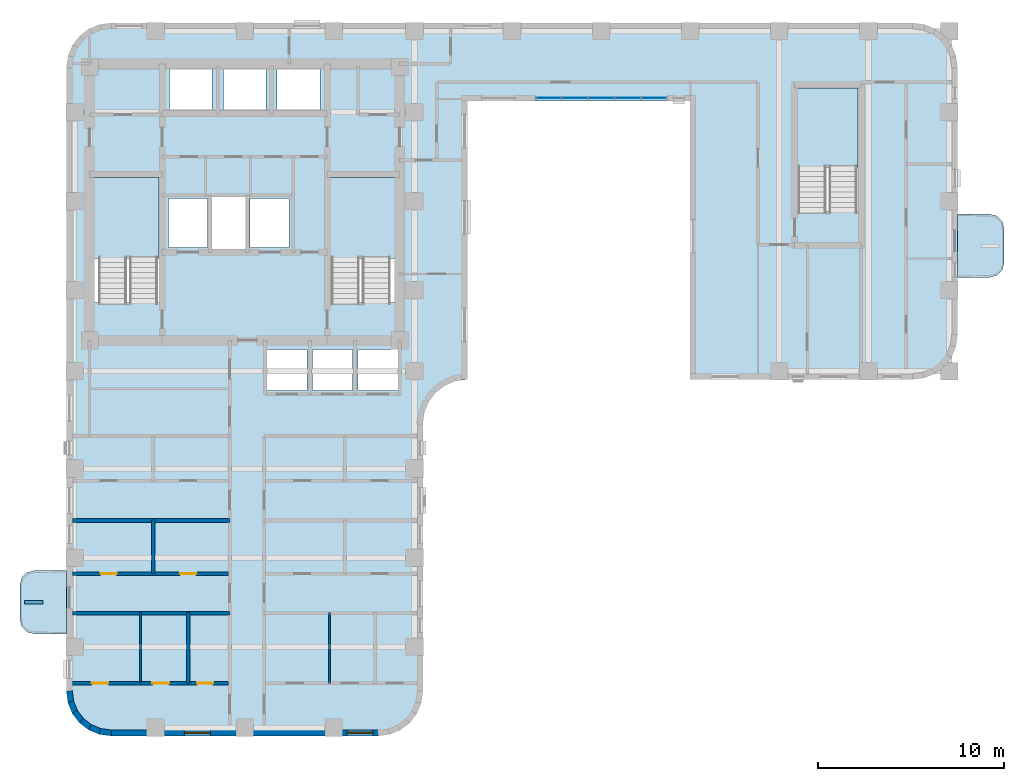
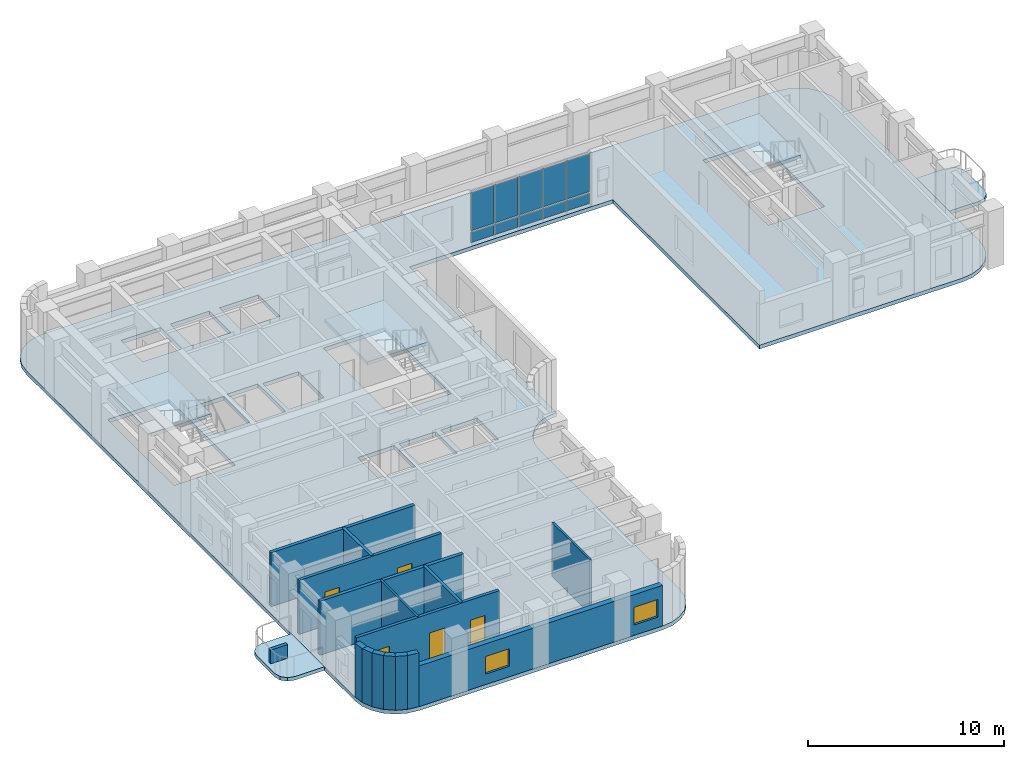
# One storey, part 3 of 11: 16 walls, 10 plates, 6 slabs, 5 doors, 2 windows, 7 openings, 4 elements without a shape of their own.
"""IFC4 building model written with IfcOpenShell, lengths in metres."""

from ifc_helpers import new_model, si_unit, direction, frame, frame_2d, origin, origin_2d, place, context, subcontext, project, spatial, polyline, rectangle, outline, extrude, material, layer, layer_set, type_object, element, fill, aggregate, save


model = new_model("IFC4")

# Units and contexts
model_context = context("Model", 3, precision=1e-05, world=origin(), true_north=direction((0.0, 1.0)))
body_context = subcontext(model_context, "Body", "Model", "MODEL_VIEW")
ifc_project = project(units=[si_unit("LENGTHUNIT", "METRE"), si_unit("AREAUNIT", "SQUARE_METRE"), si_unit("VOLUMEUNIT", "CUBIC_METRE"), si_unit("PLANEANGLEUNIT", "RADIAN"), si_unit("MASSUNIT", "GRAM", prefix="KILO")], contexts=[model_context])

# Site, building, storey
site_placement = place(None, origin())
site = spatial("IfcSite", under=ifc_project, at=site_placement, CompositionType="ELEMENT")
building_placement = place(site_placement, origin())
building = spatial("IfcBuilding", under=site, at=building_placement, Name="Orvandelia Arch Residences", CompositionType="ELEMENT")
storey_placement = place(building_placement, frame((0.0, 0.0, 172.0)))
storey = spatial("IfcBuildingStorey", under=building, at=storey_placement, Name="L45", CompositionType="ELEMENT", Elevation=172.0)

# Curtain wall, plates
ifc_material_1 = material(Name="Anodised Bronze Curtain Wall Assembly")
curtain_wall_type = type_object("IfcCurtainWallType", Name="CW-SYS4-PORTAL", PredefinedType="NOTDEFINED", material=ifc_material_1)
curtain_wall_placement = place(storey_placement, origin())
curtain_wall = element("IfcCurtainWall", 1, at=curtain_wall_placement, inside=storey, type_object=curtain_wall_type, Name="Void-Portal Bridge Curtain Wall L45 1", PredefinedType="NOTDEFINED")
ifc_material_2 = material(Name="Insulated Bronze Aluminium Spandrel Panel", Category="aluminium")
ifc_layer_1 = layer(ifc_material_2, 0.0400390625, Name="Insulated Bronze Aluminium Spandrel Panel", Category="aluminium")
ifc_layer_set_1 = layer_set([ifc_layer_1], Name="Insulated Bronze Aluminium Spandrel Panel")
plate_type_1 = type_object("IfcPlateType", Name="CW-PANEL-SPANDREL", PredefinedType="SHEET", material=ifc_layer_set_1)
plate_1_placement = place(storey_placement, frame((30.77197265625, 43.9599609375, 0.125), z_axis=(0.0, 0.0, 1.0), x_axis=(1.0, 0.0, 0.0)))
plate_1 = element("IfcPlate", 2, at=plate_1_placement, type_object=plate_type_1, Name="Curtain Wall Spandrel Panel CW-L45-1-PS1", PredefinedType="SHEET", context=body_context, shape_type="SweptSolid", body=[
    extrude(rectangle(XDim=1.333984375, YDim=0.0400390625, at=origin_2d()), origin(), (0.0, 0.0, 1.0), 0.62646484375),
])
plate_2_placement = place(storey_placement, frame((32.176025390625, 43.9599609375, 0.125), z_axis=(0.0, 0.0, 1.0), x_axis=(1.0, 0.0, 0.0)))
plate_2 = element("IfcPlate", 3, at=plate_2_placement, type_object=plate_type_1, Name="Curtain Wall Spandrel Panel CW-L45-1-PS2", PredefinedType="SHEET", context=body_context, shape_type="SweptSolid", body=[
    extrude(rectangle(XDim=1.3740234375, YDim=0.0400390625, at=origin_2d()), origin(), (0.0, 0.0, 1.0), 0.62646484375),
])
plate_3_placement = place(storey_placement, frame((33.60009765625, 43.9599609375, 0.125), z_axis=(0.0, 0.0, 1.0), x_axis=(1.0, 0.0, 0.0)))
plate_3 = element("IfcPlate", 4, at=plate_3_placement, type_object=plate_type_1, Name="Curtain Wall Spandrel Panel CW-L45-1-PS3", PredefinedType="SHEET", context=body_context, shape_type="SweptSolid", body=[
    extrude(rectangle(XDim=1.3740234375, YDim=0.0400390625, at=origin_2d()), origin(), (0.0, 0.0, 1.0), 0.62646484375),
])
plate_4_placement = place(storey_placement, frame((35.02392578125, 43.9599609375, 0.125), z_axis=(0.0, 0.0, 1.0), x_axis=(1.0, 0.0, 0.0)))
plate_4 = element("IfcPlate", 5, at=plate_4_placement, type_object=plate_type_1, Name="Curtain Wall Spandrel Panel CW-L45-1-PS4", PredefinedType="SHEET", context=body_context, shape_type="SweptSolid", body=[
    extrude(rectangle(XDim=1.3740234375, YDim=0.0400390625, at=origin_2d()), origin(), (0.0, 0.0, 1.0), 0.62646484375),
])
plate_5_placement = place(storey_placement, frame((36.427978515625, 43.9599609375, 0.125), z_axis=(0.0, 0.0, 1.0), x_axis=(1.0, 0.0, 0.0)))
plate_5 = element("IfcPlate", 6, at=plate_5_placement, type_object=plate_type_1, Name="Curtain Wall Spandrel Panel CW-L45-1-PS5", PredefinedType="SHEET", context=body_context, shape_type="SweptSolid", body=[
    extrude(rectangle(XDim=1.333984375, YDim=0.0400390625, at=origin_2d()), origin(), (0.0, 0.0, 1.0), 0.62646484375),
])
ifc_material_3 = material(Name="Low-E Laminated Double Glazing", Category="glass")
ifc_layer_2 = layer(ifc_material_3, 0.031982421875, Name="Low-E Laminated Double Glazing", Category="glass")
ifc_layer_set_2 = layer_set([ifc_layer_2], Name="Low-E Laminated Double Glazing")
plate_type_2 = type_object("IfcPlateType", Name="CW-PANEL-VISION", PredefinedType="CURTAIN_PANEL", material=ifc_layer_set_2)
plate_6_placement = place(storey_placement, frame((30.77197265625, 43.9599609375, 0.861328125), z_axis=(0.0, 0.0, 1.0), x_axis=(1.0, 0.0, 0.0)))
plate_6 = element("IfcPlate", 7, at=plate_6_placement, type_object=plate_type_2, Name="Curtain Wall Vision Glass Panel CW-L45-1-PV1", PredefinedType="CURTAIN_PANEL", context=body_context, shape_type="SweptSolid", body=[
    extrude(rectangle(XDim=1.333984375, YDim=0.031982421875, at=origin_2d()), origin(), (0.0, 0.0, 1.0), 2.37353515625),
])
plate_7_placement = place(storey_placement, frame((32.176025390625, 43.9599609375, 0.861328125), z_axis=(0.0, 0.0, 1.0), x_axis=(1.0, 0.0, 0.0)))
plate_7 = element("IfcPlate", 8, at=plate_7_placement, type_object=plate_type_2, Name="Curtain Wall Vision Glass Panel CW-L45-1-PV2", PredefinedType="CURTAIN_PANEL", context=body_context, shape_type="SweptSolid", body=[
    extrude(rectangle(XDim=1.3740234375, YDim=0.031982421875, at=origin_2d()), origin(), (0.0, 0.0, 1.0), 2.37353515625),
])
plate_8_placement = place(storey_placement, frame((33.60009765625, 43.9599609375, 0.861328125), z_axis=(0.0, 0.0, 1.0), x_axis=(1.0, 0.0, 0.0)))
plate_8 = element("IfcPlate", 9, at=plate_8_placement, type_object=plate_type_2, Name="Curtain Wall Vision Glass Panel CW-L45-1-PV3", PredefinedType="CURTAIN_PANEL", context=body_context, shape_type="SweptSolid", body=[
    extrude(rectangle(XDim=1.3740234375, YDim=0.031982421875, at=origin_2d()), origin(), (0.0, 0.0, 1.0), 2.37353515625),
])
plate_9_placement = place(storey_placement, frame((35.02392578125, 43.9599609375, 0.861328125), z_axis=(0.0, 0.0, 1.0), x_axis=(1.0, 0.0, 0.0)))
plate_9 = element("IfcPlate", 10, at=plate_9_placement, type_object=plate_type_2, Name="Curtain Wall Vision Glass Panel CW-L45-1-PV4", PredefinedType="CURTAIN_PANEL", context=body_context, shape_type="SweptSolid", body=[
    extrude(rectangle(XDim=1.3740234375, YDim=0.031982421875, at=origin_2d()), origin(), (0.0, 0.0, 1.0), 2.37353515625),
])
plate_10_placement = place(storey_placement, frame((36.427978515625, 43.9599609375, 0.861328125), z_axis=(0.0, 0.0, 1.0), x_axis=(1.0, 0.0, 0.0)))
plate_10 = element("IfcPlate", 11, at=plate_10_placement, type_object=plate_type_2, Name="Curtain Wall Vision Glass Panel CW-L45-1-PV5", PredefinedType="CURTAIN_PANEL", context=body_context, shape_type="SweptSolid", body=[
    extrude(rectangle(XDim=1.333984375, YDim=0.031982421875, at=origin_2d()), origin(), (0.0, 0.0, 1.0), 2.37353515625),
])
aggregate(curtain_wall, [plate_1, plate_6, plate_2, plate_7, plate_3, plate_8, plate_4, plate_9, plate_5, plate_10])

# Slabs
ifc_material_4 = material(Name="Precast concrete C40/50", Category="concrete")
ifc_layer_3 = layer(ifc_material_4, 0.219970703125, Name="Precast concrete C40/50", Category="concrete")
ifc_layer_set_3 = layer_set([ifc_layer_3], Name="Precast concrete C40/50")
slab_type_1 = type_object("IfcSlabType", Name="SLB-BAL-220", PredefinedType="USERDEFINED", material=ifc_layer_set_3)
slab_1_placement = place(storey_placement, frame((0.0, 0.0, -0.219970703125)))
element("IfcSlab", 12, at=slab_1_placement, inside=storey, type_object=slab_type_1, Name="Tree Balcony Cantilever Slab BAL-L45-W1", ObjectType="BALCONY", PredefinedType="USERDEFINED", context=body_context, shape_type="SweptSolid", body=[
    extrude(outline(polyline([(4.800048828125, 15.10009765625), (4.800048828125, 18.5), (3.050048828125, 18.5), (2.675048828125, 18.3994140625), (2.400390625, 18.125), (2.300048828125, 17.75), (2.300048828125, 15.85009765625), (2.400390625, 15.47509765625), (2.675048828125, 15.200439453125), (3.050048828125, 15.10009765625), (4.800048828125, 15.10009765625)])), origin(), (0.0, 0.0, 1.0), 0.219970703125),
])
slab_2_placement = place(storey_placement, frame((0.0, 0.0, -0.219970703125)))
element("IfcSlab", 13, at=slab_2_placement, inside=storey, type_object=slab_type_1, Name="Tree Balcony Cantilever Slab BAL-L45-E1", ObjectType="BALCONY", PredefinedType="USERDEFINED", context=body_context, shape_type="SweptSolid", body=[
    extrude(outline(polyline([(52.800048828125, 37.699951171875), (52.800048828125, 34.300048828125), (54.550048828125, 34.300048828125), (54.925048828125, 34.400390625), (55.199462890625, 34.675048828125), (55.300048828125, 35.050048828125), (55.300048828125, 36.949951171875), (55.199462890625, 37.324951171875), (54.925048828125, 37.599609375), (54.550048828125, 37.699951171875), (52.800048828125, 37.699951171875)])), origin(), (0.0, 0.0, 1.0), 0.219970703125),
])

# Stair, slab
ifc_material_5 = material(Name="Concrete C40/50", Category="concrete")
stair_type = type_object("IfcStairType", Name="STAIR-RC-DOGLEG", PredefinedType="HALF_TURN_STAIR", material=ifc_material_5)
stair_1_placement = place(storey_placement, origin())
stair_1 = element("IfcStair", 14, at=stair_1_placement, inside=storey, type_object=stair_type, Name="L45 Protected Exit Stair ST-1", PredefinedType="HALF_TURN_STAIR")
ifc_layer_4 = layer(ifc_material_5, 0.219970703125, Name="Concrete C40/50", Category="concrete")
ifc_layer_set_4 = layer_set([ifc_layer_4], Name="Concrete C40/50")
slab_type_2 = type_object("IfcSlabType", Name="SLB-LANDING-220", PredefinedType="LANDING", material=ifc_layer_set_4)
slab_3_placement = place(storey_placement, frame((0.0, 0.0, 1.60009765625)))
slab_3 = element("IfcSlab", 15, at=slab_3_placement, type_object=slab_type_2, Name="ST-1 landing 1", PredefinedType="LANDING", context=body_context, shape_type="SweptSolid", body=[
    extrude(outline(polyline([(9.800048828125, 35.31005859375), (9.800048828125, 39.68994140625), (6.260009765625, 39.68994140625), (6.260009765625, 35.31005859375), (9.800048828125, 35.31005859375)])), origin(), (0.0, 0.0, 1.0), 0.199951171875),
])
aggregate(stair_1, [slab_3])

stair_2_placement = place(storey_placement, origin())
stair_2 = element("IfcStair", 16, at=stair_2_placement, inside=storey, type_object=stair_type, Name="L45 Protected Exit Stair ST-2", PredefinedType="HALF_TURN_STAIR")
slab_4_placement = place(storey_placement, frame((0.0, 0.0, 1.60009765625)))
slab_4 = element("IfcSlab", 17, at=slab_4_placement, type_object=slab_type_2, Name="ST-2 landing 1", PredefinedType="LANDING", context=body_context, shape_type="SweptSolid", body=[
    extrude(outline(polyline([(22.5400390625, 35.31005859375), (22.5400390625, 39.68994140625), (19.0, 39.68994140625), (19.0, 35.31005859375), (22.5400390625, 35.31005859375)])), origin(), (0.0, 0.0, 1.0), 0.199951171875),
])
aggregate(stair_2, [slab_4])

stair_3_placement = place(storey_placement, origin())
stair_3 = element("IfcStair", 18, at=stair_3_placement, inside=storey, type_object=stair_type, Name="L45 East Wing Exit Stair ST-3", PredefinedType="HALF_TURN_STAIR")
slab_5_placement = place(storey_placement, frame((0.0, 0.0, 1.60009765625)))
slab_5 = element("IfcSlab", 19, at=slab_5_placement, type_object=slab_type_2, Name="ST-3 landing 1", PredefinedType="LANDING", context=body_context, shape_type="SweptSolid", body=[
    extrude(outline(polyline([(47.43994140625, 40.2099609375), (47.43994140625, 44.5), (44.179931640625, 44.5), (44.179931640625, 40.2099609375), (47.43994140625, 40.2099609375)])), origin(), (0.0, 0.0, 1.0), 0.199951171875),
])
aggregate(stair_3, [slab_5])

# Slab
ifc_layer_5 = layer(ifc_material_5, 0.239990234375, Name="Concrete C40/50", Category="concrete")
ifc_layer_set_5 = layer_set([ifc_layer_5], Name="Concrete C40/50")
slab_type_3 = type_object("IfcSlabType", Name="SLB-TWR-240", PredefinedType="FLOOR", material=ifc_layer_set_5)
slab_6_placement = place(storey_placement, frame((0.0, 0.0, -0.239990234375)))
element("IfcSlab", 20, at=slab_6_placement, inside=storey, type_object=slab_type_3, Name="Structural Floor Slab L45-1", PredefinedType="FLOOR", context=body_context, shape_type="SweptSolid", body=[
    extrude(outline(polyline([(4.800048828125, 12.0), (4.8818359375, 11.37890625), (5.12158203125, 10.800048828125), (5.5029296875, 10.302978515625), (6.0, 9.92138671875), (6.578857421875, 9.681884765625), (7.199951171875, 9.60009765625), (21.60009765625, 9.60009765625), (22.22119140625, 9.681884765625), (22.800048828125, 9.92138671875), (23.297119140625, 10.302978515625), (23.678466796875, 10.800048828125), (23.918212890625, 11.37890625), (24.0, 12.0), (24.0, 26.39990234375), (24.081787109375, 27.021240234375), (24.321533203125, 27.60009765625), (24.702880859375, 28.09716796875), (25.199951171875, 28.478515625), (25.77880859375, 28.71826171875), (26.39990234375, 28.800048828125), (26.39990234375, 43.800048828125), (38.39990234375, 43.800048828125), (38.39990234375, 28.800048828125), (50.39990234375, 28.800048828125), (51.021240234375, 28.8818359375), (51.60009765625, 29.12158203125), (52.09716796875, 29.5029296875), (52.478515625, 30.0), (52.71826171875, 30.578857421875), (52.800048828125, 31.199951171875), (52.800048828125, 45.60009765625), (52.71826171875, 46.22119140625), (52.478515625, 46.800048828125), (52.09716796875, 47.297119140625), (51.60009765625, 47.678466796875), (51.021240234375, 47.918212890625), (50.39990234375, 48.0), (7.199951171875, 48.0), (6.578857421875, 47.918212890625), (6.0, 47.678466796875), (5.5029296875, 47.297119140625), (5.12158203125, 46.800048828125), (4.8818359375, 46.22119140625), (4.800048828125, 45.60009765625), (4.800048828125, 12.0)]), holes=[polyline([(6.219970703125, 32.949951171875), (9.840087890625, 32.949951171875), (9.840087890625, 39.72998046875), (6.219970703125, 39.72998046875), (6.219970703125, 32.949951171875)]), polyline([(18.9599609375, 32.949951171875), (22.580078125, 32.949951171875), (22.580078125, 39.72998046875), (18.9599609375, 39.72998046875), (18.9599609375, 32.949951171875)]), polyline([(44.139892578125, 37.85009765625), (47.47998046875, 37.85009765625), (47.47998046875, 44.5400390625), (44.139892578125, 44.5400390625), (44.139892578125, 37.85009765625)]), polyline([(12.639892578125, 35.81005859375), (14.4599609375, 35.81005859375), (14.4599609375, 38.639892578125), (12.639892578125, 38.639892578125), (12.639892578125, 35.81005859375)]), polyline([(10.300048828125, 35.89990234375), (12.39990234375, 35.89990234375), (12.39990234375, 38.550048828125), (10.300048828125, 38.550048828125), (10.300048828125, 35.89990234375)]), polyline([(14.699951171875, 35.89990234375), (16.800048828125, 35.89990234375), (16.800048828125, 38.550048828125), (14.699951171875, 38.550048828125), (14.699951171875, 35.89990234375)]), polyline([(10.35009765625, 43.300048828125), (12.64990234375, 43.300048828125), (12.64990234375, 45.5), (10.35009765625, 45.5), (10.35009765625, 43.300048828125)]), polyline([(13.25, 43.300048828125), (15.550048828125, 43.300048828125), (15.550048828125, 45.5), (13.25, 45.5), (13.25, 43.300048828125)]), polyline([(16.14990234375, 43.300048828125), (18.449951171875, 43.300048828125), (18.449951171875, 45.5), (16.14990234375, 45.5), (16.14990234375, 43.300048828125)]), polyline([(15.60009765625, 28.199951171875), (17.75, 28.199951171875), (17.75, 30.39990234375), (15.60009765625, 30.39990234375), (15.60009765625, 28.199951171875)]), polyline([(18.050048828125, 28.199951171875), (20.199951171875, 28.199951171875), (20.199951171875, 30.39990234375), (18.050048828125, 30.39990234375), (18.050048828125, 28.199951171875)]), polyline([(20.5, 28.199951171875), (22.64990234375, 28.199951171875), (22.64990234375, 30.39990234375), (20.5, 30.39990234375), (20.5, 28.199951171875)])]), origin(), (0.0, 0.0, 1.0), 0.239990234375),
])

# Walls
ifc_layer_6 = layer(ifc_material_5, 0.199951171875, Name="Concrete C40/50", Category="concrete")
ifc_layer_set_6 = layer_set([ifc_layer_6], Name="Concrete C40/50")
wall_type_1 = type_object("IfcWallType", Name="WL-DEM-200", PredefinedType="SOLIDWALL", material=ifc_layer_set_6)
for number, where, z_axis, x_axis, name in (
    (21, (5.1201171875, 16.199951171875, 0.0), (0.0, 0.0, 1.0), (1.0, 0.0, 0.0), "Interior Partition Wall WL-L45-DEM-WL-162"),
    (22, (5.1201171875, 21.199951171875, 0.0), (0.0, 0.0, 1.0), (1.0, 0.0, 0.0), "Interior Partition Wall WL-L45-DEM-WL-212"),
):
    element("IfcWall", number, at=place(storey_placement, frame(where, z_axis=z_axis, x_axis=x_axis)), inside=storey, type_object=wall_type_1, Name=name, PredefinedType="SOLIDWALL", context=body_context, shape_type="SweptSolid", body=[
        extrude(rectangle(XDim=8.47998046875, YDim=0.199951171875, at=frame_2d((4.239990234375, 0.0))), origin(), (0.0, 0.0, 1.0), 3.360107421875),
    ])

# Wall, openings, windows
ifc_layer_7 = layer(ifc_material_4, 0.320068359375, Name="Precast concrete C40/50", Category="concrete")
ifc_layer_set_7 = layer_set([ifc_layer_7], Name="Precast concrete C40/50")
wall_type_2 = type_object("IfcWallType", Name="WL-EXT-STONE-320", PredefinedType="STANDARD", material=ifc_layer_set_7)
wall_1_placement = place(storey_placement, frame((21.60009765625, 9.760009765625, 0.0), z_axis=(0.0, 0.0, 1.0), x_axis=(-1.0, 0.0, 0.0)))
wall_1 = element("IfcWall", 23, at=wall_1_placement, inside=storey, type_object=wall_type_2, Name="Coral-Limestone Precast Facade Wall L45-039", PredefinedType="STANDARD", context=body_context, shape_type="SweptSolid", body=[
    extrude(rectangle(XDim=14.400146484375, YDim=0.320068359375, at=frame_2d((7.2001953125, 0.0))), origin(), (0.0, 0.0, 1.0), 2.5400390625),
])
opening_1_placement = place(wall_1_placement, frame((0.282470703125, 0.0, 0.64990234375)))
opening_1 = element("IfcOpeningElement", 24, at=opening_1_placement, cuts=wall_1, Name="Opening W10", PredefinedType="OPENING", context=body_context, shape_type="SweptSolid", body=[
    extrude(rectangle(XDim=1.39990234375, YDim=1.10009765625, at=frame_2d((0.699951171875, 0.550048828125))), frame((0.0, 0.169921875, 0.0), z_axis=(0.0, -1.0, 0.0), x_axis=(1.0, 0.0, 0.0)), (0.0, 0.0, 1.0), 0.340087890625),
])
opening_2_placement = place(wall_1_placement, frame((9.052490234375, 0.0, 0.64990234375)))
opening_2 = element("IfcOpeningElement", 25, at=opening_2_placement, cuts=wall_1, Name="Opening W10", PredefinedType="OPENING", context=body_context, shape_type="SweptSolid", body=[
    extrude(rectangle(XDim=1.39990234375, YDim=1.10009765625, at=frame_2d((0.699951171875, 0.550048828125))), frame((0.0, 0.169921875, 0.0), z_axis=(0.0, -1.0, 0.0), x_axis=(1.0, 0.0, 0.0)), (0.0, 0.0, 1.0), 0.340087890625),
])
ifc_material_6 = material(Name="Tempered Low-E Insulated Glazing", Category="glass")
window_type = type_object("IfcWindowType", Name="WIN-CLR-1400x1100", PartitioningType="SINGLE_PANEL", PredefinedType="WINDOW", material=ifc_material_6)
window_1_placement = place(opening_1_placement, origin())
window_1 = element("IfcWindow", 26, at=window_1_placement, inside=storey, type_object=window_type, Name="Recessed Punched Window L45-022", OverallHeight=1.10009765625, OverallWidth=1.39990234375, PartitioningType="SINGLE_PANEL", PredefinedType="WINDOW", context=body_context, shape_type="SweptSolid", body=[
    extrude(rectangle(XDim=1.39990234375, YDim=1.10009765625, at=frame_2d((0.699951171875, 0.550048828125))), frame((0.0, 0.030029296875, 0.0), z_axis=(0.0, -1.0, 0.0), x_axis=(1.0, 0.0, 0.0)), (0.0, 0.0, 1.0), 0.06005859375),
])
fill(opening_1, window_1)
window_2_placement = place(opening_2_placement, origin())
window_2 = element("IfcWindow", 27, at=window_2_placement, inside=storey, type_object=window_type, Name="Recessed Punched Window L45-023", OverallHeight=1.10009765625, OverallWidth=1.39990234375, PartitioningType="SINGLE_PANEL", PredefinedType="WINDOW", context=body_context, shape_type="SweptSolid", body=[
    extrude(rectangle(XDim=1.39990234375, YDim=1.10009765625, at=frame_2d((0.699951171875, 0.550048828125))), frame((0.0, 0.030029296875, 0.0), z_axis=(0.0, -1.0, 0.0), x_axis=(1.0, 0.0, 0.0)), (0.0, 0.0, 1.0), 0.06005859375),
])
fill(opening_2, window_2)

# Walls
wall_2_placement = place(storey_placement, frame((7.220947265625, 9.758544921875, 0.0), z_axis=(0.0, 0.0, 1.0), x_axis=(-0.991447664465, 0.130504898859, 0.0)))
element("IfcWall", 28, at=wall_2_placement, inside=storey, type_object=wall_type_2, Name="Coral-Limestone Precast Facade Wall L45-040", PredefinedType="STANDARD", context=body_context, shape_type="SweptSolid", body=[
    extrude(rectangle(XDim=0.626708984375, YDim=0.320068359375, at=frame_2d((0.3134765625, 0.0))), origin(), (0.0, 0.0, 1.0), 3.360107421875),
])
wall_3_placement = place(storey_placement, frame((6.639892578125, 9.82958984375, 0.0), z_axis=(0.0, 0.0, 1.0), x_axis=(-0.923836271867, 0.382787856107, 0.0)))
element("IfcWall", 29, at=wall_3_placement, inside=storey, type_object=wall_type_2, Name="Coral-Limestone Precast Facade Wall L45-041", PredefinedType="STANDARD", context=body_context, shape_type="SweptSolid", body=[
    extrude(rectangle(XDim=0.626220703125, YDim=0.320068359375, at=frame_2d((0.31298828125, 0.0))), origin(), (0.0, 0.0, 1.0), 3.360107421875),
])
wall_4_placement = place(storey_placement, frame((6.097412109375, 10.04833984375, 0.0), z_axis=(0.0, 0.0, 1.0), x_axis=(-0.793405610854, 0.608693302629, 0.0)))
element("IfcWall", 30, at=wall_4_placement, inside=storey, type_object=wall_type_2, Name="Coral-Limestone Precast Facade Wall L45-042", PredefinedType="STANDARD", context=body_context, shape_type="SweptSolid", body=[
    extrude(rectangle(XDim=0.62646484375, YDim=0.320068359375, at=frame_2d((0.313232421875, 0.0))), origin(), (0.0, 0.0, 1.0), 3.360107421875),
])
wall_5_placement = place(storey_placement, frame((5.6298828125, 10.400390625, 0.0), z_axis=(0.0, 0.0, 1.0), x_axis=(-0.608938521285, 0.7932174212, 0.0)))
element("IfcWall", 31, at=wall_5_placement, inside=storey, type_object=wall_type_2, Name="Coral-Limestone Precast Facade Wall L45-043", PredefinedType="STANDARD", context=body_context, shape_type="SweptSolid", body=[
    extrude(rectangle(XDim=0.626708984375, YDim=0.320068359375, at=frame_2d((0.3134765625, 0.0))), origin(), (0.0, 0.0, 1.0), 3.360107421875),
])
wall_6_placement = place(storey_placement, frame((5.269287109375, 10.861083984375, 0.0), z_axis=(0.0, 0.0, 1.0), x_axis=(-0.382650053678, 0.92389335771, 0.0)))
element("IfcWall", 32, at=wall_6_placement, inside=storey, type_object=wall_type_2, Name="Coral-Limestone Precast Facade Wall L45-044", PredefinedType="STANDARD", context=body_context, shape_type="SweptSolid", body=[
    extrude(rectangle(XDim=0.62646484375, YDim=0.320068359375, at=frame_2d((0.313232421875, 0.0))), origin(), (0.0, 0.0, 1.0), 3.360107421875),
])
wall_7_placement = place(storey_placement, frame((5.040283203125, 11.399658203125, 0.0), z_axis=(0.0, 0.0, 1.0), x_axis=(-0.130504898859, 0.991447664465, 0.0)))
element("IfcWall", 33, at=wall_7_placement, inside=storey, type_object=wall_type_2, Name="Coral-Limestone Precast Facade Wall L45-045", PredefinedType="STANDARD", context=body_context, shape_type="SweptSolid", body=[
    extrude(rectangle(XDim=0.626708984375, YDim=0.320068359375, at=frame_2d((0.3134765625, 0.0))), origin(), (0.0, 0.0, 1.0), 3.360107421875),
])
ifc_material_7 = material(Name="Lightweight Gypsum Stud Partition")
ifc_layer_8 = layer(ifc_material_7, 0.1201171875, Name="Lightweight Gypsum Stud Partition")
ifc_layer_set_8 = layer_set([ifc_layer_8], Name="Lightweight Gypsum Stud Partition")
wall_type_3 = type_object("IfcWallType", Name="WL-PART-120", PredefinedType="PARTITIONING", material=ifc_layer_set_8)
wall_8_placement = place(storey_placement, frame((8.791015625, 12.444091796875, 0.0), z_axis=(0.0, 0.0, 1.0), x_axis=(0.0, 1.0, 0.0)))
element("IfcWall", 34, at=wall_8_placement, inside=storey, type_object=wall_type_3, Name="Interior Partition Wall WL-L45-U01-V1", PredefinedType="PARTITIONING", context=body_context, shape_type="SweptSolid", body=[
    extrude(rectangle(XDim=3.7958984375, YDim=0.1201171875, at=frame_2d((1.89794921875, 0.0))), origin(), (0.0, 0.0, 1.0), 3.360107421875),
])
wall_9_placement = place(storey_placement, frame((18.967041015625, 12.43408203125, 0.0), z_axis=(0.0, 0.0, 1.0), x_axis=(0.0, 1.0, 0.0)))
element("IfcWall", 35, at=wall_9_placement, inside=storey, type_object=wall_type_3, Name="Interior Partition Wall WL-L45-U04-V1", PredefinedType="PARTITIONING", context=body_context, shape_type="SweptSolid", body=[
    extrude(rectangle(XDim=3.805908203125, YDim=0.1201171875, at=frame_2d((1.90283203125, 0.0))), origin(), (0.0, 0.0, 1.0), 3.360107421875),
])
ifc_layer_9 = layer(ifc_material_4, 0.199951171875, Name="Precast concrete C40/50", Category="concrete")
ifc_layer_set_9 = layer_set([ifc_layer_9], Name="Precast concrete C40/50")
wall_type_4 = type_object("IfcWallType", Name="WL-PLANTER-200", PredefinedType="MOVABLE", material=ifc_layer_set_9)
wall_10_placement = place(storey_placement, frame((2.550048828125, 16.800048828125, 0.0), z_axis=(0.0, 0.0, 1.0), x_axis=(1.0, 0.0, 0.0)))
element("IfcWall", 36, at=wall_10_placement, inside=storey, type_object=wall_type_4, Name="Balcony Precast Tree Planter BAL-L45-W1", PredefinedType="MOVABLE", context=body_context, shape_type="SweptSolid", body=[
    extrude(rectangle(XDim=1.0, YDim=0.199951171875, at=frame_2d((0.5, 0.0))), origin(), (0.0, 0.0, 1.0), 0.85009765625),
])

# Wall, openings, doors
ifc_material_8 = material(Name="Moisture-Resistant Plumbing Wall")
ifc_layer_10 = layer(ifc_material_8, 0.179931640625, Name="Moisture-Resistant Plumbing Wall")
ifc_layer_set_10 = layer_set([ifc_layer_10], Name="Moisture-Resistant Plumbing Wall")
wall_type_5 = type_object("IfcWallType", Name="WL-WET-180", PredefinedType="PLUMBINGWALL", material=ifc_layer_set_10)
wall_11_placement = place(storey_placement, frame((5.1201171875, 12.444091796875, 0.0), z_axis=(0.0, 0.0, 1.0), x_axis=(1.0, 0.0, 0.0)))
wall_11 = element("IfcWall", 37, at=wall_11_placement, inside=storey, type_object=wall_type_5, Name="Interior Partition Wall WL-L45-U01-HZ", PredefinedType="PLUMBINGWALL", context=body_context, shape_type="SweptSolid", body=[
    extrude(rectangle(XDim=8.419921875, YDim=0.179931640625, at=frame_2d((4.2099609375, 0.0))), origin(), (0.0, 0.0, 1.0), 3.360107421875),
])
opening_3_placement = place(wall_11_placement, frame((1.04638671875, 0.0, 0.0)))
opening_3 = element("IfcOpeningElement", 38, at=opening_3_placement, cuts=wall_11, Name="Opening D3", PredefinedType="OPENING", context=body_context, shape_type="SweptSolid", body=[
    extrude(rectangle(XDim=0.89990234375, YDim=2.14990234375, at=frame_2d((0.449951171875, 1.074951171875))), frame((0.0, 0.10009765625, 0.0), z_axis=(0.0, -1.0, 0.0), x_axis=(1.0, 0.0, 0.0)), (0.0, 0.0, 1.0), 0.199951171875),
])
opening_4_placement = place(wall_11_placement, frame((4.307373046875, 0.0, 0.0)))
opening_4 = element("IfcOpeningElement", 39, at=opening_4_placement, cuts=wall_11, Name="Opening D3", PredefinedType="OPENING", context=body_context, shape_type="SweptSolid", body=[
    extrude(rectangle(XDim=0.89990234375, YDim=2.14990234375, at=frame_2d((0.449951171875, 1.074951171875))), frame((0.0, 0.10009765625, 0.0), z_axis=(0.0, -1.0, 0.0), x_axis=(1.0, 0.0, 0.0)), (0.0, 0.0, 1.0), 0.199951171875),
])
opening_5_placement = place(wall_11_placement, frame((6.723388671875, 0.0, 0.0)))
opening_5 = element("IfcOpeningElement", 40, at=opening_5_placement, cuts=wall_11, Name="Opening D4", PredefinedType="OPENING", context=body_context, shape_type="SweptSolid", body=[
    extrude(rectangle(XDim=0.860107421875, YDim=2.10009765625, at=frame_2d((0.43017578125, 1.050048828125))), frame((0.0, 0.10009765625, 0.0), z_axis=(0.0, -1.0, 0.0), x_axis=(1.0, 0.0, 0.0)), (0.0, 0.0, 1.0), 0.199951171875),
])
ifc_material_9 = material(Name="Engineered Timber Flush Door", Category="wood")
door_type_1 = type_object("IfcDoorType", Name="DR-INT-900", OperationType="NOTDEFINED", PredefinedType="DOOR", material=ifc_material_9)
door_1_placement = place(opening_3_placement, origin())
door_1 = element("IfcDoor", 41, at=door_1_placement, inside=storey, type_object=door_type_1, Name="DR-L45-U01-BD1", OperationType="SINGLE_SWING_LEFT", OverallHeight=2.14990234375, OverallWidth=0.89990234375, PredefinedType="DOOR", context=body_context, shape_type="SweptSolid", body=[
    extrude(rectangle(XDim=0.89990234375, YDim=2.14990234375, at=frame_2d((0.449951171875, 1.074951171875))), frame((0.0, 0.02490234375, 0.0), z_axis=(0.0, -1.0, 0.0), x_axis=(1.0, 0.0, 0.0)), (0.0, 0.0, 1.0), 0.050048828125),
])
fill(opening_3, door_1)
door_2_placement = place(opening_4_placement, origin())
door_2 = element("IfcDoor", 42, at=door_2_placement, inside=storey, type_object=door_type_1, Name="DR-L45-U01-KIT", OperationType="SINGLE_SWING_RIGHT", OverallHeight=2.14990234375, OverallWidth=0.89990234375, PredefinedType="DOOR", context=body_context, shape_type="SweptSolid", body=[
    extrude(rectangle(XDim=0.89990234375, YDim=2.14990234375, at=frame_2d((0.449951171875, 1.074951171875))), frame((0.0, 0.02490234375, 0.0), z_axis=(0.0, -1.0, 0.0), x_axis=(1.0, 0.0, 0.0)), (0.0, 0.0, 1.0), 0.050048828125),
])
fill(opening_4, door_2)
ifc_material_10 = material(Name="Moisture-Sealed Timber Bathroom Door", Category="wood")
door_type_2 = type_object("IfcDoorType", Name="DR-WET-900", OperationType="NOTDEFINED", PredefinedType="DOOR", material=ifc_material_10)
door_3_placement = place(opening_5_placement, origin())
door_3 = element("IfcDoor", 43, at=door_3_placement, inside=storey, type_object=door_type_2, Name="DR-L45-U01-BTH", OperationType="SINGLE_SWING_LEFT", OverallHeight=2.10009765625, OverallWidth=0.860107421875, PredefinedType="DOOR", context=body_context, shape_type="SweptSolid", body=[
    extrude(rectangle(XDim=0.860107421875, YDim=2.10009765625, at=frame_2d((0.43017578125, 1.050048828125))), frame((0.0, 0.02490234375, 0.0), z_axis=(0.0, -1.0, 0.0), x_axis=(1.0, 0.0, 0.0)), (0.0, 0.0, 1.0), 0.050048828125),
])
fill(opening_5, door_3)

# Wall
wall_12_placement = place(storey_placement, frame((11.35498046875, 12.444091796875, 0.0), z_axis=(0.0, 0.0, 1.0), x_axis=(0.0, 1.0, 0.0)))
element("IfcWall", 44, at=wall_12_placement, inside=storey, type_object=wall_type_5, Name="Interior Partition Wall WL-L45-U01-V2", PredefinedType="PLUMBINGWALL", context=body_context, shape_type="SweptSolid", body=[
    extrude(rectangle(XDim=3.7958984375, YDim=0.179931640625, at=frame_2d((1.89794921875, 0.0))), origin(), (0.0, 0.0, 1.0), 3.360107421875),
])

# Wall, openings, doors
wall_13_placement = place(storey_placement, frame((5.1201171875, 18.340087890625, 0.0), z_axis=(0.0, 0.0, 1.0), x_axis=(1.0, 0.0, 0.0)))
wall_13 = element("IfcWall", 45, at=wall_13_placement, inside=storey, type_object=wall_type_5, Name="Interior Partition Wall WL-L45-U02-HZ", PredefinedType="PLUMBINGWALL", context=body_context, shape_type="SweptSolid", body=[
    extrude(rectangle(XDim=8.419921875, YDim=0.179931640625, at=frame_2d((4.2099609375, 0.0))), origin(), (0.0, 0.0, 1.0), 3.360107421875),
])
opening_6_placement = place(wall_13_placement, frame((1.52001953125, 0.0, 0.0)))
opening_6 = element("IfcOpeningElement", 46, at=opening_6_placement, cuts=wall_13, Name="Opening D4", PredefinedType="OPENING", context=body_context, shape_type="SweptSolid", body=[
    extrude(rectangle(XDim=0.860107421875, YDim=2.10009765625, at=frame_2d((0.43017578125, 1.050048828125))), frame((0.0, 0.10009765625, 0.0), z_axis=(0.0, -1.0, 0.0), x_axis=(1.0, 0.0, 0.0)), (0.0, 0.0, 1.0), 0.199951171875),
])
opening_7_placement = place(wall_13_placement, frame((5.81005859375, 0.0, 0.0)))
opening_7 = element("IfcOpeningElement", 47, at=opening_7_placement, cuts=wall_13, Name="Opening D4", PredefinedType="OPENING", context=body_context, shape_type="SweptSolid", body=[
    extrude(rectangle(XDim=0.860107421875, YDim=2.10009765625, at=frame_2d((0.43017578125, 1.050048828125))), frame((0.0, 0.10009765625, 0.0), z_axis=(0.0, -1.0, 0.0), x_axis=(1.0, 0.0, 0.0)), (0.0, 0.0, 1.0), 0.199951171875),
])
door_4_placement = place(opening_6_placement, origin())
door_4 = element("IfcDoor", 48, at=door_4_placement, inside=storey, type_object=door_type_2, Name="DR-L45-U02-KIT", OperationType="SINGLE_SWING_RIGHT", OverallHeight=2.10009765625, OverallWidth=0.860107421875, PredefinedType="DOOR", context=body_context, shape_type="SweptSolid", body=[
    extrude(rectangle(XDim=0.860107421875, YDim=2.10009765625, at=frame_2d((0.43017578125, 1.050048828125))), frame((0.0, 0.02490234375, 0.0), z_axis=(0.0, -1.0, 0.0), x_axis=(1.0, 0.0, 0.0)), (0.0, 0.0, 1.0), 0.050048828125),
])
fill(opening_6, door_4)
door_5_placement = place(opening_7_placement, origin())
door_5 = element("IfcDoor", 49, at=door_5_placement, inside=storey, type_object=door_type_2, Name="DR-L45-U02-BTH", OperationType="SINGLE_SWING_LEFT", OverallHeight=2.10009765625, OverallWidth=0.860107421875, PredefinedType="DOOR", context=body_context, shape_type="SweptSolid", body=[
    extrude(rectangle(XDim=0.860107421875, YDim=2.10009765625, at=frame_2d((0.43017578125, 1.050048828125))), frame((0.0, 0.02490234375, 0.0), z_axis=(0.0, -1.0, 0.0), x_axis=(1.0, 0.0, 0.0)), (0.0, 0.0, 1.0), 0.050048828125),
])
fill(opening_7, door_5)

# Wall
wall_14_placement = place(storey_placement, frame((9.469970703125, 18.340087890625, 0.0), z_axis=(0.0, 0.0, 1.0), x_axis=(0.0, 1.0, 0.0)))
element("IfcWall", 50, at=wall_14_placement, inside=storey, type_object=wall_type_5, Name="Interior Partition Wall WL-L45-U02-V1", PredefinedType="PLUMBINGWALL", context=body_context, shape_type="SweptSolid", body=[
    extrude(rectangle(XDim=2.89990234375, YDim=0.179931640625, at=frame_2d((1.449951171875, 0.0))), origin(), (0.0, 0.0, 1.0), 3.360107421875),
])

save(model, "model.ifc")
